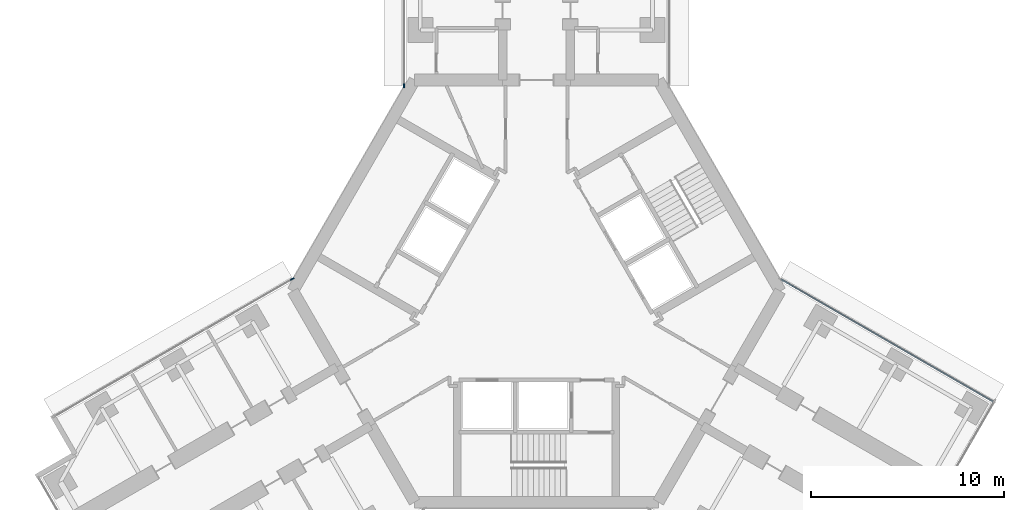
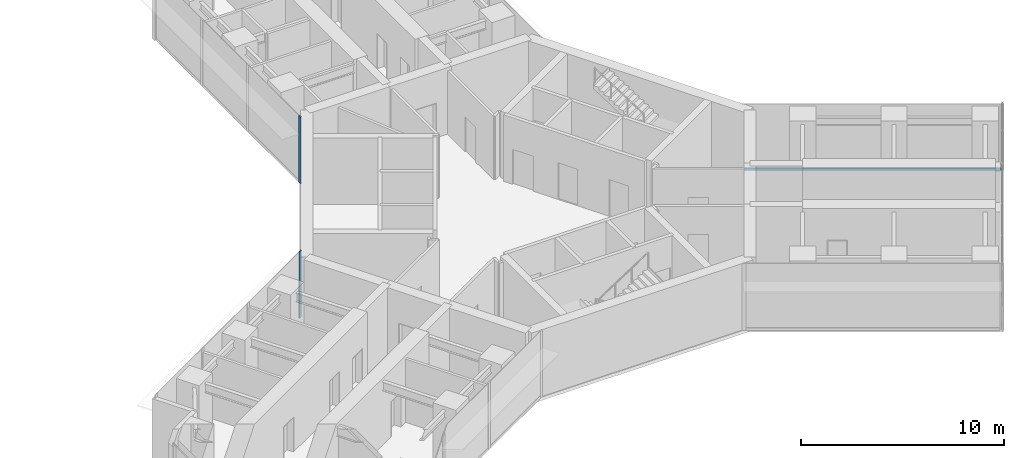
# One storey, part 9 of 22: 3 members, 3 elements without a shape of their own.
"""IFC4 building model written with IfcOpenShell, lengths in metres."""

from ifc_helpers import new_model, si_unit, direction, frame, origin, origin_2d, place, context, subcontext, project, spatial, rectangle, extrude, material, material_profile, profile_set, type_object, element, aggregate, save


model = new_model("IFC4")

# Units and contexts
model_context = context("Model", 3, precision=1e-05, world=origin(), true_north=direction((0.0, 1.0)))
body_context = subcontext(model_context, "Body", "Model", "MODEL_VIEW")
ifc_project = project(units=[si_unit("LENGTHUNIT", "METRE"), si_unit("AREAUNIT", "SQUARE_METRE"), si_unit("VOLUMEUNIT", "CUBIC_METRE"), si_unit("PLANEANGLEUNIT", "RADIAN"), si_unit("MASSUNIT", "GRAM", prefix="KILO")], contexts=[model_context])

# Site, building, storey
site_placement = place(None, origin())
site = spatial("IfcSite", under=ifc_project, at=site_placement, CompositionType="ELEMENT")
building_placement = place(site_placement, origin())
building = spatial("IfcBuilding", under=site, at=building_placement, Name="Upepo Twin Towers", CompositionType="ELEMENT")
storey_placement = place(building_placement, frame((0.0, 0.0, 129.5)))
storey = spatial("IfcBuildingStorey", under=building, at=storey_placement, Name="L31", CompositionType="ELEMENT", Elevation=129.5)

# Curtain wall, member
ifc_material_1 = material(Name="Aluminium and fritted glass", Category="aluminium")
curtain_wall_type = type_object("IfcCurtainWallType", Name="Tower curtain wall TW2, fritted glass", PredefinedType="NOTDEFINED", material=ifc_material_1)
curtain_wall_1_placement = place(storey_placement, origin())
curtain_wall_1 = element("IfcCurtainWall", 1, at=curtain_wall_1_placement, inside=storey, type_object=curtain_wall_type, Name="T2 L31 wing A flank L curtain wall", PredefinedType="NOTDEFINED")
ifc_material_2 = material(Name="Aluminium mullion", Category="aluminium")
ifc_material_profile_1 = material_profile(ifc_material_2, rectangle(XDim=0.06494140625, YDim=0.199951171875, at=origin_2d()), Name="MULLION 65x200")
ifc_profile_set_1 = profile_set([ifc_material_profile_1], Name="Aluminium mullion")
member_type_1 = type_object("IfcMemberType", Name="Mullion 65x200 TW2", PredefinedType="MULLION", material=ifc_profile_set_1)
member_1_placement = place(storey_placement, frame((51.64990234375, -7.38037109375, 0.0), z_axis=(0.0, 0.0, 1.0), x_axis=(-1.0, 0.0, 0.0)))
member_1 = element("IfcMember", 2, at=member_1_placement, type_object=member_type_1, Name="T2 L31 wing A flank L curtain wall mullion 1", PredefinedType="MULLION", context=body_context, shape_type="SweptSolid", body=[
    extrude(rectangle(XDim=0.06494140625, YDim=0.199951171875, at=origin_2d()), origin(), (0.0, 0.0, 1.0), 4.0),
])
aggregate(curtain_wall_1, [member_1])

curtain_wall_2_placement = place(storey_placement, origin())
curtain_wall_2 = element("IfcCurtainWall", 3, at=curtain_wall_2_placement, inside=storey, type_object=curtain_wall_type, Name="T2 L31 wing B flank R curtain wall", PredefinedType="NOTDEFINED")
member_2_placement = place(storey_placement, frame((45.878173828125, -17.37744140625, 0.0), z_axis=(0.0, 0.0, 1.0), x_axis=(-0.500000010308, 0.866025397833, 0.0)))
member_2 = element("IfcMember", 4, at=member_2_placement, type_object=member_type_1, Name="T2 L31 wing B flank R curtain wall mullion 4", PredefinedType="MULLION", context=body_context, shape_type="SweptSolid", body=[
    extrude(rectangle(XDim=0.06494140625, YDim=0.199951171875, at=origin_2d()), origin(), (0.0, 0.0, 1.0), 4.0),
])
aggregate(curtain_wall_2, [member_2])

curtain_wall_3_placement = place(storey_placement, origin())
curtain_wall_3 = element("IfcCurtainWall", 5, at=curtain_wall_3_placement, inside=storey, type_object=curtain_wall_type, Name="T2 L31 wing C flank L curtain wall", PredefinedType="NOTDEFINED")
ifc_material_3 = material(Name="Aluminium transom", Category="aluminium")
ifc_material_profile_2 = material_profile(ifc_material_3, rectangle(XDim=0.06494140625, YDim=0.14990234375, at=origin_2d()), Name="TRANSOM 65x150")
ifc_profile_set_2 = profile_set([ifc_material_profile_2], Name="Aluminium transom")
member_type_2 = type_object("IfcMemberType", Name="Transom 65x150 TW2", PredefinedType="USERDEFINED", material=ifc_profile_set_2)
member_3_placement = place(storey_placement, frame((71.14990234375, -17.393798828125, 0.074951171875), z_axis=(0.866027247007, -0.499996807431, 0.0), x_axis=(0.499996807431, 0.866027247007, 0.0)))
member_3 = element("IfcMember", 6, at=member_3_placement, type_object=member_type_2, Name="T2 L31 wing C flank L curtain wall transom 1", ObjectType="TRANSOM", PredefinedType="USERDEFINED", context=body_context, shape_type="SweptSolid", body=[
    extrude(rectangle(XDim=0.06494140625, YDim=0.14990234375, at=origin_2d()), origin(), (0.0, 0.0, 1.0), 12.6328125),
])
aggregate(curtain_wall_3, [member_3])

save(model, "model.ifc")
